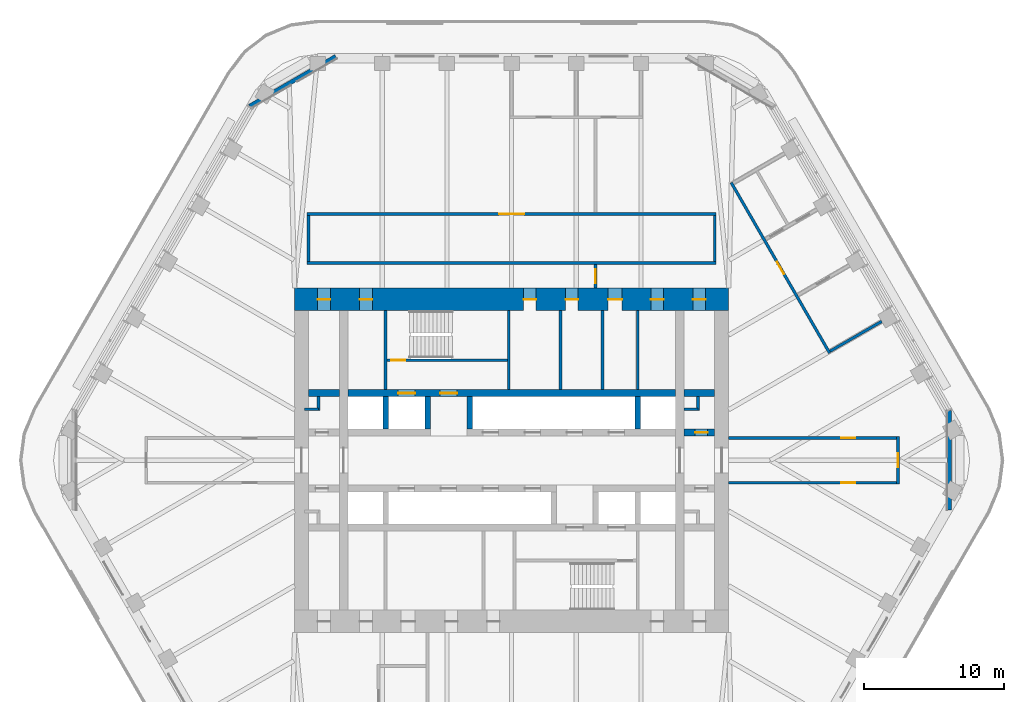
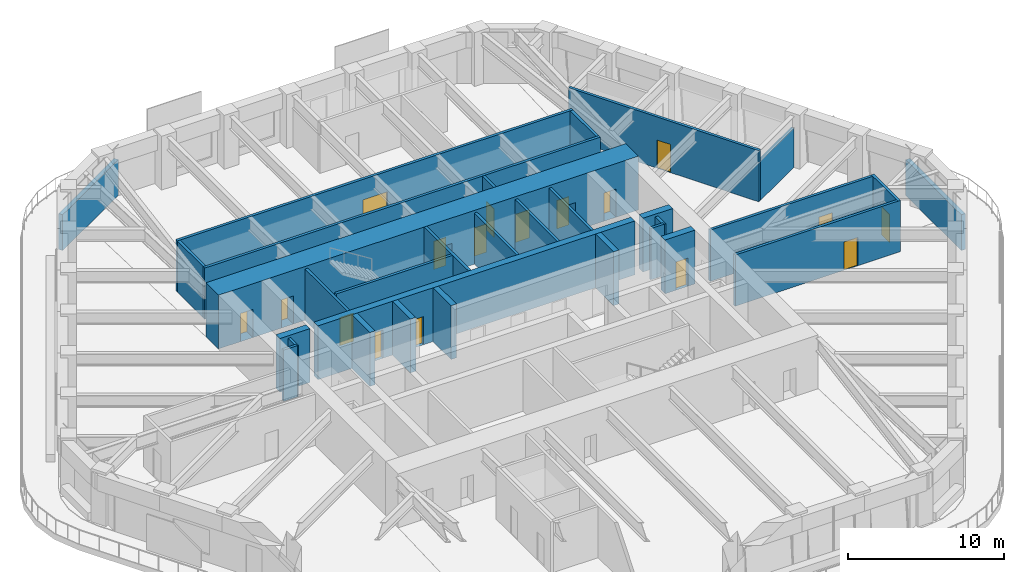
# One storey, part 16 of 20: 31 walls, 17 doors, 17 openings.
"""IFC4 building model written with IfcOpenShell, lengths in metres."""

from ifc_helpers import new_model, si_unit, direction, frame, frame_2d, origin, place, context, subcontext, project, spatial, rectangle, extrude, material, layer, layer_set, type_object, element, fill, save


model = new_model("IFC4")

# Units and contexts
model_context = context("Model", 3, precision=1e-05, world=origin(), true_north=direction((0.0, 1.0)))
body_context = subcontext(model_context, "Body", "Model", "MODEL_VIEW")
ifc_project = project(units=[si_unit("LENGTHUNIT", "METRE"), si_unit("AREAUNIT", "SQUARE_METRE"), si_unit("VOLUMEUNIT", "CUBIC_METRE"), si_unit("PLANEANGLEUNIT", "RADIAN"), si_unit("MASSUNIT", "GRAM", prefix="KILO")], contexts=[model_context])

# Site, building, storey
site_placement = place(None, origin())
site = spatial("IfcSite", under=ifc_project, at=site_placement, CompositionType="ELEMENT")
building_placement = place(site_placement, origin())
building = spatial("IfcBuilding", under=site, at=building_placement, Name="Tarfa Lantern Tower", CompositionType="ELEMENT")
storey_placement = place(building_placement, frame((0.0, 0.0, 291.10009765625)))
storey = spatial("IfcBuildingStorey", under=building, at=storey_placement, Name="L66", CompositionType="ELEMENT", Elevation=291.10009765625)

# Walls
ifc_material_1 = material(Name="Limestone cladding on blockwork", Category="masonry")
ifc_layer_1 = layer(ifc_material_1, 0.300048828125)
ifc_layer_set_1 = layer_set([ifc_layer_1], Name="EW1 STONE-CLAD WALL 300")
wall_type_1 = type_object("IfcWallType", Name="EW1 STONE-CLAD WALL 300", PredefinedType="SOLIDWALL", material=ifc_layer_set_1)
wall_1_placement = place(storey_placement, frame((-12.556396484375, 28.85009765625, 0.0), z_axis=(0.0, 0.0, 1.0), x_axis=(-0.866010973379, -0.500024993363, 0.0)))
element("IfcWall", 1, at=wall_1_placement, inside=storey, type_object=wall_type_1, Name="Garden wall N-NW", PredefinedType="SOLIDWALL", context=body_context, shape_type="SweptSolid", body=[
    extrude(rectangle(XDim=7.101806640625, YDim=0.300048828125, at=frame_2d((3.55078125, 0.0))), origin(), (0.0, 0.0, 1.0), 2.7998046875),
])
wall_2_placement = place(storey_placement, frame((31.262939453125, -3.55078125, 0.0), z_axis=(0.0, 0.0, 1.0), x_axis=(0.0, 1.0, 0.0)))
element("IfcWall", 2, at=wall_2_placement, inside=storey, type_object=wall_type_1, Name="Garden wall SE-NE", PredefinedType="SOLIDWALL", context=body_context, shape_type="SweptSolid", body=[
    extrude(rectangle(XDim=7.1015625, YDim=0.300048828125, at=frame_2d((3.55078125, 0.0))), origin(), (0.0, 0.0, 1.0), 2.7998046875),
])
ifc_material_2 = material(Name="Concrete blockwork", Category="masonry")
ifc_layer_2 = layer(ifc_material_2, 0.199951171875)
ifc_layer_set_2 = layer_set([ifc_layer_2], Name="IW1 BLOCKWORK PARTITION 200 EI 120")
wall_type_2 = type_object("IfcWallType", Name="IW1 BLOCKWORK PARTITION 200 EI 120", PredefinedType="PARTITIONING", material=ifc_layer_set_2)
for number, where, z_axis, x_axis, name in (
    (3, (-9.0, 5.050048828125, 0.0), (0.0, 0.0, 1.0), (0.0, 1.0, 0.0), "Core partition"),
    (4, (9.0, 5.050048828125, 0.0), (0.0, 0.0, 1.0), (0.0, 1.0, 0.0), "Core partition"),
    (5, (3.5, 5.050048828125, 0.0), (0.0, 0.0, 1.0), (0.0, 1.0, 0.0), "Core partition"),
    (6, (6.5, 5.050048828125, 0.0), (0.0, 0.0, 1.0), (0.0, 1.0, 0.0), "Core partition"),
):
    element("IfcWall", number, at=place(storey_placement, frame(where, z_axis=z_axis, x_axis=x_axis)), inside=storey, type_object=wall_type_2, Name=name, PredefinedType="PARTITIONING", context=body_context, shape_type="SweptSolid", body=[
        extrude(rectangle(XDim=5.64990234375, YDim=0.199951171875, at=frame_2d((2.824951171875, 0.0))), origin(), (0.0, 0.0, 1.0), 4.0),
    ])
for number, where, z_axis, x_axis, name in (
    (7, (-14.800048828125, 3.64990234375, 0.0), (0.0, 0.0, 1.0), (1.0, 0.0, 0.0), "Core partition"),
    (8, (-13.800048828125, 3.550048828125, 0.0), (0.0, 0.0, 1.0), (0.0, 1.0, 0.0), "Core partition"),
    (9, (12.300048828125, 3.64990234375, 0.0), (0.0, 0.0, 1.0), (1.0, 0.0, 0.0), "Core partition"),
    (10, (13.300048828125, 3.550048828125, 0.0), (0.0, 0.0, 1.0), (0.0, 1.0, 0.0), "Core partition"),
):
    element("IfcWall", number, at=place(storey_placement, frame(where, z_axis=z_axis, x_axis=x_axis)), inside=storey, type_object=wall_type_2, Name=name, PredefinedType="PARTITIONING", context=body_context, shape_type="SweptSolid", body=[
        extrude(rectangle(XDim=1.0, YDim=0.199951171875, at=frame_2d((0.5, 0.0))), origin(), (0.0, 0.0, 1.0), 4.0),
    ])
ifc_material_3 = material(Name="Gypsum board on steel studs", Category="steel")
ifc_layer_3 = layer(ifc_material_3, 0.2099609375)
ifc_layer_set_3 = layer_set([ifc_layer_3], Name="IW2 ACOUSTIC PARTITION 200")
wall_type_3 = type_object("IfcWallType", Name="IW2 ACOUSTIC PARTITION 200", PredefinedType="PARTITIONING", material=ifc_layer_set_3)
wall_3_placement = place(storey_placement, frame((-14.60009765625, 14.10009765625, 0.0), z_axis=(0.0, 0.0, 1.0), x_axis=(1.0, 0.0, 0.0)))
element("IfcWall", 11, at=wall_3_placement, inside=storey, type_object=wall_type_3, Name="Partition", PredefinedType="PARTITIONING", context=body_context, shape_type="SweptSolid", body=[
    extrude(rectangle(XDim=29.2001953125, YDim=0.199951171875, at=frame_2d((14.60009765625, 0.0))), origin(), (0.0, 0.0, 1.0), 4.0),
])

# Wall, opening, door
wall_4_placement = place(storey_placement, frame((-14.60009765625, 17.60009765625, 0.0), z_axis=(0.0, 0.0, 1.0), x_axis=(1.0, 0.0, 0.0)))
wall_4 = element("IfcWall", 12, at=wall_4_placement, inside=storey, type_object=wall_type_3, Name="Partition", PredefinedType="PARTITIONING", context=body_context, shape_type="SweptSolid", body=[
    extrude(rectangle(XDim=29.2001953125, YDim=0.199951171875, at=frame_2d((14.60009765625, 0.0))), origin(), (0.0, 0.0, 1.0), 4.0),
])
opening_1_placement = place(wall_4_placement, frame((13.699951171875, 0.0, 0.0)))
opening_1 = element("IfcOpeningElement", 13, at=opening_1_placement, cuts=wall_4, Name="Opening D33", PredefinedType="OPENING", context=body_context, shape_type="SweptSolid", body=[
    extrude(rectangle(XDim=1.800048828125, YDim=2.39990234375, at=frame_2d((0.89990234375, 1.199951171875))), frame((0.0, 0.10986328125, 0.0), z_axis=(0.0, -1.0, 0.0), x_axis=(1.0, 0.0, 0.0)), (0.0, 0.0, 1.0), 0.219970703125),
])
ifc_material_4 = material(Name="Timber door", Category="wood")
door_type_1 = type_object("IfcDoorType", Name="DR2 ROOM DOOR 1800x2400", OperationType="DOUBLE_DOOR_SINGLE_SWING", PredefinedType="DOOR", material=ifc_material_4)
door_1_placement = place(opening_1_placement, frame((1.800048828125, 0.0, 0.0), z_axis=(0.0, 0.0, 1.0), x_axis=(-1.0, 0.0, 0.0)))
door_1 = element("IfcDoor", 14, at=door_1_placement, inside=storey, type_object=door_type_1, Name="Scenario room door", OperationType="DOUBLE_DOOR_SINGLE_SWING", OverallHeight=2.39990234375, OverallWidth=1.800048828125, PredefinedType="DOOR", context=body_context, shape_type="SweptSolid", body=[
    extrude(rectangle(XDim=1.800048828125, YDim=2.39990234375, at=frame_2d((0.89990234375, 1.199951171875))), frame((0.0, 0.02490234375, 0.0), z_axis=(0.0, -1.0, 0.0), x_axis=(1.0, 0.0, 0.0)), (0.0, 0.0, 1.0), 0.050048828125),
])
fill(opening_1, door_1)

# Walls
for number, where, z_axis, x_axis, name in (
    (15, (-14.5, 14.199951171875, 0.0), (0.0, 0.0, 1.0), (0.0, 1.0, 0.0), "Partition"),
    (16, (14.5, 14.199951171875, 0.0), (0.0, 0.0, 1.0), (0.0, 1.0, 0.0), "Partition"),
):
    element("IfcWall", number, at=place(storey_placement, frame(where, z_axis=z_axis, x_axis=x_axis)), inside=storey, type_object=wall_type_3, Name=name, PredefinedType="PARTITIONING", context=body_context, shape_type="SweptSolid", body=[
        extrude(rectangle(XDim=3.300048828125, YDim=0.199951171875, at=frame_2d((1.64990234375, 0.0))), origin(), (0.0, 0.0, 1.0), 4.0),
    ])

# Wall, opening, door
wall_5_placement = place(storey_placement, frame((22.7109375, 7.663330078125, 0.0), z_axis=(0.0, 0.0, 1.0), x_axis=(-0.499989069193, 0.866031714597, 0.0)))
wall_5 = element("IfcWall", 17, at=wall_5_placement, inside=storey, type_object=wall_type_3, Name="Partition", PredefinedType="PARTITIONING", context=body_context, shape_type="SweptSolid", body=[
    extrude(rectangle(XDim=14.056396484375, YDim=0.199951171875, at=frame_2d((7.0283203125, 0.0))), origin(), (0.0, 0.0, 1.0), 4.0),
])
opening_2_placement = place(wall_5_placement, frame((6.5283203125, 0.0, 0.0)))
opening_2 = element("IfcOpeningElement", 18, at=opening_2_placement, cuts=wall_5, Name="Opening D30", PredefinedType="OPENING", context=body_context, shape_type="SweptSolid", body=[
    extrude(rectangle(XDim=1.0, YDim=2.199951171875, at=frame_2d((0.5, 1.10009765625))), frame((0.0, 0.10986328125, 0.0), z_axis=(0.0, -1.0, 0.0), x_axis=(1.0, 0.0, 0.0)), (0.0, 0.0, 1.0), 0.219970703125),
])
door_type_2 = type_object("IfcDoorType", Name="DR1 ROOM DOOR 1000x2200", OperationType="SINGLE_SWING_LEFT", PredefinedType="DOOR", material=ifc_material_4)
door_2_placement = place(opening_2_placement, frame((1.0, 0.0, 0.0), z_axis=(0.0, 0.0, 1.0), x_axis=(-1.0, 0.0, 0.0)))
door_2 = element("IfcDoor", 19, at=door_2_placement, inside=storey, type_object=door_type_2, Name="Strategy reception door", OperationType="SINGLE_SWING_RIGHT", OverallHeight=2.199951171875, OverallWidth=1.0, PredefinedType="DOOR", context=body_context, shape_type="SweptSolid", body=[
    extrude(rectangle(XDim=1.0, YDim=2.199951171875, at=frame_2d((0.5, 1.10009765625))), frame((0.0, 0.02490234375, 0.0), z_axis=(0.0, -1.0, 0.0), x_axis=(1.0, 0.0, 0.0)), (0.0, 0.0, 1.0), 0.050048828125),
])
fill(opening_2, door_2)

# Wall
wall_6_placement = place(storey_placement, frame((22.74755859375, 7.800048828125, 0.0), z_axis=(0.0, 0.0, 1.0), x_axis=(0.866028703517, 0.499994284652, 0.0)))
element("IfcWall", 20, at=wall_6_placement, inside=storey, type_object=wall_type_3, Name="Partition", PredefinedType="PARTITIONING", context=body_context, shape_type="SweptSolid", body=[
    extrude(rectangle(XDim=4.25, YDim=0.199951171875, at=frame_2d((2.125, 0.0))), origin(), (0.0, 0.0, 1.0), 3.08154296875),
])

# Wall, opening, door
wall_7_placement = place(storey_placement, frame((15.5, 1.60009765625, 0.0), z_axis=(0.0, 0.0, 1.0), x_axis=(1.0, 0.0, 0.0)))
wall_7 = element("IfcWall", 21, at=wall_7_placement, inside=storey, type_object=wall_type_3, Name="Partition", PredefinedType="PARTITIONING", context=body_context, shape_type="SweptSolid", body=[
    extrude(rectangle(XDim=12.199951171875, YDim=0.199951171875, at=frame_2d((6.10009765625, 0.0))), origin(), (0.0, 0.0, 1.0), 4.0),
])
opening_3_placement = place(wall_7_placement, frame((8.0400390625, 0.0, 0.0)))
opening_3 = element("IfcOpeningElement", 22, at=opening_3_placement, cuts=wall_7, Name="Opening D37", PredefinedType="OPENING", context=body_context, shape_type="SweptSolid", body=[
    extrude(rectangle(XDim=1.0, YDim=2.199951171875, at=frame_2d((0.5, 1.10009765625))), frame((0.0, 0.10986328125, 0.0), z_axis=(0.0, -1.0, 0.0), x_axis=(1.0, 0.0, 0.0)), (0.0, 0.0, 1.0), 0.219970703125),
])
door_3_placement = place(opening_3_placement, origin())
door_3 = element("IfcDoor", 23, at=door_3_placement, inside=storey, type_object=door_type_2, Name="Corridor door", OperationType="SINGLE_SWING_LEFT", OverallHeight=2.199951171875, OverallWidth=1.0, PredefinedType="DOOR", context=body_context, shape_type="SweptSolid", body=[
    extrude(rectangle(XDim=1.0, YDim=2.199951171875, at=frame_2d((0.5, 1.10009765625))), frame((0.0, 0.02490234375, 0.0), z_axis=(0.0, -1.0, 0.0), x_axis=(1.0, 0.0, 0.0)), (0.0, 0.0, 1.0), 0.050048828125),
])
fill(opening_3, door_3)

wall_8_placement = place(storey_placement, frame((15.5, -1.60009765625, 0.0), z_axis=(0.0, 0.0, 1.0), x_axis=(1.0, 0.0, 0.0)))
wall_8 = element("IfcWall", 24, at=wall_8_placement, inside=storey, type_object=wall_type_3, Name="Partition", PredefinedType="PARTITIONING", context=body_context, shape_type="SweptSolid", body=[
    extrude(rectangle(XDim=12.199951171875, YDim=0.199951171875, at=frame_2d((6.10009765625, 0.0))), origin(), (0.0, 0.0, 1.0), 4.0),
])
opening_4_placement = place(wall_8_placement, frame((8.0400390625, 0.0, 0.0)))
opening_4 = element("IfcOpeningElement", 25, at=opening_4_placement, cuts=wall_8, Name="Opening D38", PredefinedType="OPENING", context=body_context, shape_type="SweptSolid", body=[
    extrude(rectangle(XDim=1.0, YDim=2.199951171875, at=frame_2d((0.5, 1.10009765625))), frame((0.0, 0.10986328125, 0.0), z_axis=(0.0, -1.0, 0.0), x_axis=(1.0, 0.0, 0.0)), (0.0, 0.0, 1.0), 0.219970703125),
])
door_4_placement = place(opening_4_placement, frame((1.0, 0.0, 0.0), z_axis=(0.0, 0.0, 1.0), x_axis=(-1.0, 0.0, 0.0)))
door_4 = element("IfcDoor", 26, at=door_4_placement, inside=storey, type_object=door_type_2, Name="Corridor door", OperationType="SINGLE_SWING_RIGHT", OverallHeight=2.199951171875, OverallWidth=1.0, PredefinedType="DOOR", context=body_context, shape_type="SweptSolid", body=[
    extrude(rectangle(XDim=1.0, YDim=2.199951171875, at=frame_2d((0.5, 1.10009765625))), frame((0.0, 0.02490234375, 0.0), z_axis=(0.0, -1.0, 0.0), x_axis=(1.0, 0.0, 0.0)), (0.0, 0.0, 1.0), 0.050048828125),
])
fill(opening_4, door_4)

wall_9_placement = place(storey_placement, frame((27.60009765625, -1.699951171875, 0.0), z_axis=(0.0, 0.0, 1.0), x_axis=(0.0, 1.0, 0.0)))
wall_9 = element("IfcWall", 27, at=wall_9_placement, inside=storey, type_object=wall_type_3, Name="Partition", PredefinedType="PARTITIONING", context=body_context, shape_type="SweptSolid", body=[
    extrude(rectangle(XDim=3.39990234375, YDim=0.199951171875, at=frame_2d((1.699951171875, 0.0))), origin(), (0.0, 0.0, 1.0), 4.0),
])
opening_5_placement = place(wall_9_placement, frame((1.199951171875, 0.0, 0.0)))
opening_5 = element("IfcOpeningElement", 28, at=opening_5_placement, cuts=wall_9, Name="Opening D36", PredefinedType="OPENING", context=body_context, shape_type="SweptSolid", body=[
    extrude(rectangle(XDim=1.0, YDim=2.199951171875, at=frame_2d((0.5, 1.10009765625))), frame((0.0, 0.10986328125, 0.0), z_axis=(0.0, -1.0, 0.0), x_axis=(1.0, 0.0, 0.0)), (0.0, 0.0, 1.0), 0.219970703125),
])
door_5_placement = place(opening_5_placement, frame((1.0, 0.0, 0.0), z_axis=(0.0, 0.0, 1.0), x_axis=(-1.0, 0.0, 0.0)))
door_5 = element("IfcDoor", 29, at=door_5_placement, inside=storey, type_object=door_type_2, Name="Corridor door", OperationType="SINGLE_SWING_LEFT", OverallHeight=2.199951171875, OverallWidth=1.0, PredefinedType="DOOR", context=body_context, shape_type="SweptSolid", body=[
    extrude(rectangle(XDim=1.0, YDim=2.199951171875, at=frame_2d((0.5, 1.10009765625))), frame((0.0, 0.02490234375, 0.0), z_axis=(0.0, -1.0, 0.0), x_axis=(1.0, 0.0, 0.0)), (0.0, 0.0, 1.0), 0.050048828125),
])
fill(opening_5, door_5)

wall_10_placement = place(storey_placement, frame((6.0, 12.300048828125, 0.0), z_axis=(0.0, 0.0, 1.0), x_axis=(0.0, 1.0, 0.0)))
wall_10 = element("IfcWall", 30, at=wall_10_placement, inside=storey, type_object=wall_type_3, Name="Partition", PredefinedType="PARTITIONING", context=body_context, shape_type="SweptSolid", body=[
    extrude(rectangle(XDim=1.699951171875, YDim=0.199951171875, at=frame_2d((0.85009765625, 0.0))), origin(), (0.0, 0.0, 1.0), 4.0),
])
opening_6_placement = place(wall_10_placement, frame((0.35009765625, 0.0, 0.0)))
opening_6 = element("IfcOpeningElement", 31, at=opening_6_placement, cuts=wall_10, Name="Opening D42", PredefinedType="OPENING", context=body_context, shape_type="SweptSolid", body=[
    extrude(rectangle(XDim=1.0, YDim=2.199951171875, at=frame_2d((0.5, 1.10009765625))), frame((0.0, 0.10986328125, 0.0), z_axis=(0.0, -1.0, 0.0), x_axis=(1.0, 0.0, 0.0)), (0.0, 0.0, 1.0), 0.219970703125),
])
door_6_placement = place(opening_6_placement, origin())
door_6 = element("IfcDoor", 32, at=door_6_placement, inside=storey, type_object=door_type_2, Name="Zone door", OperationType="SINGLE_SWING_LEFT", OverallHeight=2.199951171875, OverallWidth=1.0, PredefinedType="DOOR", context=body_context, shape_type="SweptSolid", body=[
    extrude(rectangle(XDim=1.0, YDim=2.199951171875, at=frame_2d((0.5, 1.10009765625))), frame((0.0, 0.02490234375, 0.0), z_axis=(0.0, -1.0, 0.0), x_axis=(1.0, 0.0, 0.0)), (0.0, 0.0, 1.0), 0.050048828125),
])
fill(opening_6, door_6)

# Wall
ifc_material_5 = material(Name="Concrete C80/95", Category="concrete")
ifc_layer_4 = layer(ifc_material_5, 0.199951171875)
ifc_layer_set_4 = layer_set([ifc_layer_4], Name="SW12 CORE WALL 200")
wall_type_4 = type_object("IfcWallType", Name="SW12 CORE WALL 200", PredefinedType="SHEAR", material=ifc_layer_set_4)
wall_11_placement = place(storey_placement, frame((-0.199951171875, 5.050048828125, 0.0), z_axis=(0.0, 0.0, 1.0), x_axis=(0.0, 1.0, 0.0)))
element("IfcWall", 33, at=wall_11_placement, inside=storey, type_object=wall_type_4, Name="Core wall stair shaft N", PredefinedType="SHEAR", context=body_context, shape_type="SweptSolid", body=[
    extrude(rectangle(XDim=5.64990234375, YDim=0.199951171875, at=frame_2d((2.824951171875, 0.0))), origin(), (0.0, 0.0, 1.0), 4.199951171875),
])

# Wall, opening, door
wall_12_placement = place(storey_placement, frame((-8.89990234375, 7.14990234375, 0.0), z_axis=(0.0, 0.0, 1.0), x_axis=(1.0, 0.0, 0.0)))
wall_12 = element("IfcWall", 34, at=wall_12_placement, inside=storey, type_object=wall_type_4, Name="Core wall stair partition N", PredefinedType="SHEAR", context=body_context, shape_type="SweptSolid", body=[
    extrude(rectangle(XDim=8.599853515625, YDim=0.199951171875, at=frame_2d((4.2998046875, 0.0))), origin(), (0.0, 0.0, 1.0), 4.199951171875),
])
opening_7_placement = place(wall_12_placement, frame((0.300048828125, 0.0, 0.0)))
opening_7 = element("IfcOpeningElement", 35, at=opening_7_placement, cuts=wall_12, Name="Opening D23", PredefinedType="OPENING", context=body_context, shape_type="SweptSolid", body=[
    extrude(rectangle(XDim=1.0, YDim=2.199951171875, at=frame_2d((0.5, 1.10009765625))), frame((0.0, 0.10986328125, 0.0), z_axis=(0.0, -1.0, 0.0), x_axis=(1.0, 0.0, 0.0)), (0.0, 0.0, 1.0), 0.219970703125),
])
ifc_material_6 = material(Name="Steel fire door", Category="steel")
door_type_3 = type_object("IfcDoorType", Name="DF2 STAIR DOOR 1000x2200", OperationType="SINGLE_SWING_LEFT", PredefinedType="DOOR", material=ifc_material_6)
door_7_placement = place(opening_7_placement, origin())
door_7 = element("IfcDoor", 36, at=door_7_placement, inside=storey, type_object=door_type_3, Name="Stair door", OperationType="SINGLE_SWING_RIGHT", OverallHeight=2.199951171875, OverallWidth=1.0, PredefinedType="DOOR", context=body_context, shape_type="SweptSolid", body=[
    extrude(rectangle(XDim=1.0, YDim=2.199951171875, at=frame_2d((0.5, 1.10009765625))), frame((0.0, 0.02490234375, 0.0), z_axis=(0.0, -1.0, 0.0), x_axis=(1.0, 0.0, 0.0)), (0.0, 0.0, 1.0), 0.050048828125),
])
fill(opening_7, door_7)

ifc_layer_5 = layer(ifc_material_5, 0.5)
ifc_layer_set_5 = layer_set([ifc_layer_5], Name="SW5 CORE WALL 500")
wall_type_5 = type_object("IfcWallType", Name="SW5 CORE WALL 500", PredefinedType="SHEAR", material=ifc_layer_set_5)
wall_13_placement = place(storey_placement, frame((12.300048828125, 2.0, 0.0), z_axis=(0.0, 0.0, 1.0), x_axis=(1.0, 0.0, 0.0)))
wall_13 = element("IfcWall", 37, at=wall_13_placement, inside=storey, type_object=wall_type_5, Name="Core wall lobby east N", PredefinedType="SHEAR", context=body_context, shape_type="SweptSolid", body=[
    extrude(rectangle(XDim=2.199951171875, YDim=0.5, at=frame_2d((1.10009765625, 0.0))), origin(), (0.0, 0.0, 1.0), 4.199951171875),
])
opening_8_placement = place(wall_13_placement, frame((0.800048828125, 0.0, 0.0)))
opening_8 = element("IfcOpeningElement", 38, at=opening_8_placement, cuts=wall_13, Name="Opening D13", PredefinedType="OPENING", context=body_context, shape_type="SweptSolid", body=[
    extrude(rectangle(XDim=0.89990234375, YDim=2.199951171875, at=frame_2d((0.449951171875, 1.10009765625))), frame((0.0, 0.260009765625, 0.0), z_axis=(0.0, -1.0, 0.0), x_axis=(1.0, 0.0, 0.0)), (0.0, 0.0, 1.0), 0.52001953125),
])
door_type_4 = type_object("IfcDoorType", Name="DF6 SERVICE ROOM DOOR 900x2200", OperationType="SINGLE_SWING_LEFT", PredefinedType="DOOR", material=ifc_material_6)
door_8_placement = place(opening_8_placement, origin())
door_8 = element("IfcDoor", 39, at=door_8_placement, inside=storey, type_object=door_type_4, Name="Service room door", OperationType="SINGLE_SWING_LEFT", OverallHeight=2.199951171875, OverallWidth=0.89990234375, PredefinedType="DOOR", context=body_context, shape_type="SweptSolid", body=[
    extrude(rectangle(XDim=0.89990234375, YDim=2.199951171875, at=frame_2d((0.449951171875, 1.10009765625))), frame((0.0, 0.02490234375, 0.0), z_axis=(0.0, -1.0, 0.0), x_axis=(1.0, 0.0, 0.0)), (0.0, 0.0, 1.0), 0.050048828125),
])
fill(opening_8, door_8)

# Wall
wall_14_placement = place(storey_placement, frame((-14.5, 4.800048828125, 0.0), z_axis=(0.0, 0.0, 1.0), x_axis=(1.0, 0.0, 0.0)))
element("IfcWall", 40, at=wall_14_placement, inside=storey, type_object=wall_type_5, Name="Core wall rear N", PredefinedType="SHEAR", context=body_context, shape_type="SweptSolid", body=[
    extrude(rectangle(XDim=2.199951171875, YDim=0.5, at=frame_2d((1.10009765625, 0.0))), origin(), (0.0, 0.0, 1.0), 4.199951171875),
])

# Wall, openings, doors
wall_15_placement = place(storey_placement, frame((-11.699951171875, 4.800048828125, 0.0), z_axis=(0.0, 0.0, 1.0), x_axis=(1.0, 0.0, 0.0)))
wall_15 = element("IfcWall", 41, at=wall_15_placement, inside=storey, type_object=wall_type_5, Name="Core wall rear N", PredefinedType="SHEAR", context=body_context, shape_type="SweptSolid", body=[
    extrude(rectangle(XDim=23.39990234375, YDim=0.5, at=frame_2d((11.699951171875, 0.0))), origin(), (0.0, 0.0, 1.0), 4.199951171875),
])
opening_9_placement = place(wall_15_placement, frame((6.60009765625, 0.0, 0.0)))
opening_9 = element("IfcOpeningElement", 42, at=opening_9_placement, cuts=wall_15, Name="Opening D09", PredefinedType="OPENING", context=body_context, shape_type="SweptSolid", body=[
    extrude(rectangle(XDim=1.199951171875, YDim=2.199951171875, at=frame_2d((0.60009765625, 1.10009765625))), frame((0.0, 0.260009765625, 0.0), z_axis=(0.0, -1.0, 0.0), x_axis=(1.0, 0.0, 0.0)), (0.0, 0.0, 1.0), 0.52001953125),
])
opening_10_placement = place(wall_15_placement, frame((3.60009765625, 0.0, 0.0)))
opening_10 = element("IfcOpeningElement", 43, at=opening_10_placement, cuts=wall_15, Name="Opening LD01", PredefinedType="OPENING", context=body_context, shape_type="SweptSolid", body=[
    extrude(rectangle(XDim=1.199951171875, YDim=2.199951171875, at=frame_2d((0.60009765625, 1.10009765625))), frame((0.0, 0.260009765625, 0.0), z_axis=(0.0, -1.0, 0.0), x_axis=(1.0, 0.0, 0.0)), (0.0, 0.0, 1.0), 0.52001953125),
])
door_type_5 = type_object("IfcDoorType", Name="DF1 FIREFIGHTING LOBBY DOOR 1200x2200", OperationType="SINGLE_SWING_LEFT", PredefinedType="DOOR", material=ifc_material_6)
door_9_placement = place(opening_9_placement, origin())
door_9 = element("IfcDoor", 44, at=door_9_placement, inside=storey, type_object=door_type_5, Name="Firefighting lobby door", OperationType="SINGLE_SWING_LEFT", OverallHeight=2.199951171875, OverallWidth=1.199951171875, PredefinedType="DOOR", context=body_context, shape_type="SweptSolid", body=[
    extrude(rectangle(XDim=1.199951171875, YDim=2.199951171875, at=frame_2d((0.60009765625, 1.10009765625))), frame((0.0, 0.02490234375, 0.0), z_axis=(0.0, -1.0, 0.0), x_axis=(1.0, 0.0, 0.0)), (0.0, 0.0, 1.0), 0.050048828125),
])
fill(opening_9, door_9)
ifc_material_7 = material(Name="Stainless steel lift door", Category="steel")
door_type_6 = type_object("IfcDoorType", Name="LD1 LIFT LANDING DOOR 1200x2200", OperationType="SLIDING_TO_LEFT", PredefinedType="DOOR", material=ifc_material_7)
door_10_placement = place(opening_10_placement, origin())
door_10 = element("IfcDoor", 45, at=door_10_placement, inside=storey, type_object=door_type_6, Name="Landing door FL1", OperationType="SLIDING_TO_LEFT", OverallHeight=2.199951171875, OverallWidth=1.199951171875, PredefinedType="DOOR", context=body_context, shape_type="SweptSolid", body=[
    extrude(rectangle(XDim=1.199951171875, YDim=2.199951171875, at=frame_2d((0.60009765625, 1.10009765625))), frame((0.0, 0.02490234375, 0.0), z_axis=(0.0, -1.0, 0.0), x_axis=(1.0, 0.0, 0.0)), (0.0, 0.0, 1.0), 0.050048828125),
])
fill(opening_10, door_10)

# Walls
wall_16_placement = place(storey_placement, frame((12.300048828125, 4.800048828125, 0.0), z_axis=(0.0, 0.0, 1.0), x_axis=(1.0, 0.0, 0.0)))
element("IfcWall", 46, at=wall_16_placement, inside=storey, type_object=wall_type_5, Name="Core wall rear N", PredefinedType="SHEAR", context=body_context, shape_type="SweptSolid", body=[
    extrude(rectangle(XDim=2.199951171875, YDim=0.5, at=frame_2d((1.10009765625, 0.0))), origin(), (0.0, 0.0, 1.0), 4.199951171875),
])
ifc_layer_6 = layer(ifc_material_5, 0.39990234375)
ifc_layer_set_6 = layer_set([ifc_layer_6], Name="SW6 CORE WALL 400")
wall_type_6 = type_object("IfcWallType", Name="SW6 CORE WALL 400", PredefinedType="SHEAR", material=ifc_layer_set_6)
for number, where, z_axis, x_axis, name in (
    (47, (-9.0, 2.25, 0.0), (0.0, 0.0, 1.0), (0.0, 1.0, 0.0), "Core wall divider N"),
    (48, (-6.0, 2.25, 0.0), (0.0, 0.0, 1.0), (0.0, 1.0, 0.0), "Core wall divider N"),
    (49, (-3.0, 2.25, 0.0), (0.0, 0.0, 1.0), (0.0, 1.0, 0.0), "Core wall divider N"),
    (50, (9.0, 2.25, 0.0), (0.0, 0.0, 1.0), (0.0, 1.0, 0.0), "Core wall divider N"),
):
    element("IfcWall", number, at=place(storey_placement, frame(where, z_axis=z_axis, x_axis=x_axis)), inside=storey, type_object=wall_type_6, Name=name, PredefinedType="SHEAR", context=body_context, shape_type="SweptSolid", body=[
        extrude(rectangle(XDim=2.300048828125, YDim=0.39990234375, at=frame_2d((1.14990234375, 0.0))), origin(), (0.0, 0.0, 1.0), 4.199951171875),
    ])

# Wall, openings, doors
ifc_layer_7 = layer(ifc_material_5, 1.60009765625)
ifc_layer_set_7 = layer_set([ifc_layer_7], Name="SW7 CORE WALL 1600")
wall_type_7 = type_object("IfcWallType", Name="SW7 CORE WALL 1600", PredefinedType="SHEAR", material=ifc_layer_set_7)
wall_17_placement = place(storey_placement, frame((-15.5, 11.5, 0.0), z_axis=(0.0, 0.0, 1.0), x_axis=(1.0, 0.0, 0.0)))
wall_17 = element("IfcWall", 51, at=wall_17_placement, inside=storey, type_object=wall_type_7, Name="Core wall N", PredefinedType="SHEAR", context=body_context, shape_type="SweptSolid", body=[
    extrude(rectangle(XDim=31.0, YDim=1.60009765625, at=frame_2d((15.5, 0.0))), origin(), (0.0, 0.0, 1.0), 4.199951171875),
])
opening_11_placement = place(wall_17_placement, frame((16.35009765625, 0.0, 0.0)))
opening_11 = element("IfcOpeningElement", 52, at=opening_11_placement, cuts=wall_17, Name="Opening D17", PredefinedType="OPENING", context=body_context, shape_type="SweptSolid", body=[
    extrude(rectangle(XDim=0.89990234375, YDim=2.199951171875, at=frame_2d((0.449951171875, 1.10009765625))), frame((0.0, 0.81005859375, 0.0), z_axis=(0.0, -1.0, 0.0), x_axis=(1.0, 0.0, 0.0)), (0.0, 0.0, 1.0), 1.6201171875),
])
opening_12_placement = place(wall_17_placement, frame((19.35009765625, 0.0, 0.0)))
opening_12 = element("IfcOpeningElement", 53, at=opening_12_placement, cuts=wall_17, Name="Opening D19", PredefinedType="OPENING", context=body_context, shape_type="SweptSolid", body=[
    extrude(rectangle(XDim=0.89990234375, YDim=2.199951171875, at=frame_2d((0.449951171875, 1.10009765625))), frame((0.0, 0.81005859375, 0.0), z_axis=(0.0, -1.0, 0.0), x_axis=(1.0, 0.0, 0.0)), (0.0, 0.0, 1.0), 1.6201171875),
])
opening_13_placement = place(wall_17_placement, frame((22.39990234375, 0.0, 0.0)))
opening_13 = element("IfcOpeningElement", 54, at=opening_13_placement, cuts=wall_17, Name="Opening D21", PredefinedType="OPENING", context=body_context, shape_type="SweptSolid", body=[
    extrude(rectangle(XDim=1.0, YDim=2.199951171875, at=frame_2d((0.5, 1.10009765625))), frame((0.0, 0.81005859375, 0.0), z_axis=(0.0, -1.0, 0.0), x_axis=(1.0, 0.0, 0.0)), (0.0, 0.0, 1.0), 1.6201171875),
])
opening_14_placement = place(wall_17_placement, frame((1.64990234375, 0.0, 0.0)))
opening_14 = element("IfcOpeningElement", 55, at=opening_14_placement, cuts=wall_17, Name="Opening D07", PredefinedType="OPENING", context=body_context, shape_type="SweptSolid", body=[
    extrude(rectangle(XDim=0.89990234375, YDim=2.199951171875, at=frame_2d((0.449951171875, 1.10009765625))), frame((0.0, 0.81005859375, 0.0), z_axis=(0.0, -1.0, 0.0), x_axis=(1.0, 0.0, 0.0)), (0.0, 0.0, 1.0), 1.6201171875),
])
opening_15_placement = place(wall_17_placement, frame((4.64990234375, 0.0, 0.0)))
opening_15 = element("IfcOpeningElement", 56, at=opening_15_placement, cuts=wall_17, Name="Opening D05", PredefinedType="OPENING", context=body_context, shape_type="SweptSolid", body=[
    extrude(rectangle(XDim=0.89990234375, YDim=2.199951171875, at=frame_2d((0.449951171875, 1.10009765625))), frame((0.0, 0.81005859375, 0.0), z_axis=(0.0, -1.0, 0.0), x_axis=(1.0, 0.0, 0.0)), (0.0, 0.0, 1.0), 1.6201171875),
])
opening_16_placement = place(wall_17_placement, frame((25.449951171875, 0.0, 0.0)))
opening_16 = element("IfcOpeningElement", 57, at=opening_16_placement, cuts=wall_17, Name="Opening D03", PredefinedType="OPENING", context=body_context, shape_type="SweptSolid", body=[
    extrude(rectangle(XDim=0.89990234375, YDim=2.199951171875, at=frame_2d((0.449951171875, 1.10009765625))), frame((0.0, 0.81005859375, 0.0), z_axis=(0.0, -1.0, 0.0), x_axis=(1.0, 0.0, 0.0)), (0.0, 0.0, 1.0), 1.6201171875),
])
opening_17_placement = place(wall_17_placement, frame((28.449951171875, 0.0, 0.0)))
opening_17 = element("IfcOpeningElement", 58, at=opening_17_placement, cuts=wall_17, Name="Opening D01", PredefinedType="OPENING", context=body_context, shape_type="SweptSolid", body=[
    extrude(rectangle(XDim=0.89990234375, YDim=2.199951171875, at=frame_2d((0.449951171875, 1.10009765625))), frame((0.0, 0.81005859375, 0.0), z_axis=(0.0, -1.0, 0.0), x_axis=(1.0, 0.0, 0.0)), (0.0, 0.0, 1.0), 1.6201171875),
])
door_type_7 = type_object("IfcDoorType", Name="DF3 CORE ROOM DOOR 900x2200", OperationType="SINGLE_SWING_LEFT", PredefinedType="DOOR", material=ifc_material_6)
door_11_placement = place(opening_11_placement, frame((0.89990234375, 0.0, 0.0), z_axis=(0.0, 0.0, 1.0), x_axis=(-1.0, 0.0, 0.0)))
door_11 = element("IfcDoor", 59, at=door_11_placement, inside=storey, type_object=door_type_7, Name="Core door", OperationType="SINGLE_SWING_LEFT", OverallHeight=2.199951171875, OverallWidth=0.89990234375, PredefinedType="DOOR", context=body_context, shape_type="SweptSolid", body=[
    extrude(rectangle(XDim=0.89990234375, YDim=2.199951171875, at=frame_2d((0.449951171875, 1.10009765625))), frame((0.0, 0.02490234375, 0.0), z_axis=(0.0, -1.0, 0.0), x_axis=(1.0, 0.0, 0.0)), (0.0, 0.0, 1.0), 0.050048828125),
])
fill(opening_11, door_11)
door_12_placement = place(opening_12_placement, frame((0.89990234375, 0.0, 0.0), z_axis=(0.0, 0.0, 1.0), x_axis=(-1.0, 0.0, 0.0)))
door_12 = element("IfcDoor", 60, at=door_12_placement, inside=storey, type_object=door_type_7, Name="Core door", OperationType="SINGLE_SWING_LEFT", OverallHeight=2.199951171875, OverallWidth=0.89990234375, PredefinedType="DOOR", context=body_context, shape_type="SweptSolid", body=[
    extrude(rectangle(XDim=0.89990234375, YDim=2.199951171875, at=frame_2d((0.449951171875, 1.10009765625))), frame((0.0, 0.02490234375, 0.0), z_axis=(0.0, -1.0, 0.0), x_axis=(1.0, 0.0, 0.0)), (0.0, 0.0, 1.0), 0.050048828125),
])
fill(opening_12, door_12)
door_type_8 = type_object("IfcDoorType", Name="DF4 CORE ROOM DOOR 1000x2200", OperationType="SINGLE_SWING_LEFT", PredefinedType="DOOR", material=ifc_material_6)
door_13_placement = place(opening_13_placement, frame((1.0, 0.0, 0.0), z_axis=(0.0, 0.0, 1.0), x_axis=(-1.0, 0.0, 0.0)))
door_13 = element("IfcDoor", 61, at=door_13_placement, inside=storey, type_object=door_type_8, Name="Core door", OperationType="SINGLE_SWING_LEFT", OverallHeight=2.199951171875, OverallWidth=1.0, PredefinedType="DOOR", context=body_context, shape_type="SweptSolid", body=[
    extrude(rectangle(XDim=1.0, YDim=2.199951171875, at=frame_2d((0.5, 1.10009765625))), frame((0.0, 0.02490234375, 0.0), z_axis=(0.0, -1.0, 0.0), x_axis=(1.0, 0.0, 0.0)), (0.0, 0.0, 1.0), 0.050048828125),
])
fill(opening_13, door_13)
door_type_9 = type_object("IfcDoorType", Name="DF5 RISER DOOR 900x2200", OperationType="SINGLE_SWING_LEFT", PredefinedType="DOOR", material=ifc_material_6)
door_14_placement = place(opening_14_placement, frame((0.89990234375, 0.0, 0.0), z_axis=(0.0, 0.0, 1.0), x_axis=(-1.0, 0.0, 0.0)))
door_14 = element("IfcDoor", 62, at=door_14_placement, inside=storey, type_object=door_type_9, Name="Riser door", OperationType="SINGLE_SWING_LEFT", OverallHeight=2.199951171875, OverallWidth=0.89990234375, PredefinedType="DOOR", context=body_context, shape_type="SweptSolid", body=[
    extrude(rectangle(XDim=0.89990234375, YDim=2.199951171875, at=frame_2d((0.449951171875, 1.10009765625))), frame((0.0, 0.02490234375, 0.0), z_axis=(0.0, -1.0, 0.0), x_axis=(1.0, 0.0, 0.0)), (0.0, 0.0, 1.0), 0.050048828125),
])
fill(opening_14, door_14)
door_15_placement = place(opening_15_placement, frame((0.89990234375, 0.0, 0.0), z_axis=(0.0, 0.0, 1.0), x_axis=(-1.0, 0.0, 0.0)))
door_15 = element("IfcDoor", 63, at=door_15_placement, inside=storey, type_object=door_type_9, Name="Riser door", OperationType="SINGLE_SWING_LEFT", OverallHeight=2.199951171875, OverallWidth=0.89990234375, PredefinedType="DOOR", context=body_context, shape_type="SweptSolid", body=[
    extrude(rectangle(XDim=0.89990234375, YDim=2.199951171875, at=frame_2d((0.449951171875, 1.10009765625))), frame((0.0, 0.02490234375, 0.0), z_axis=(0.0, -1.0, 0.0), x_axis=(1.0, 0.0, 0.0)), (0.0, 0.0, 1.0), 0.050048828125),
])
fill(opening_15, door_15)
door_16_placement = place(opening_16_placement, frame((0.89990234375, 0.0, 0.0), z_axis=(0.0, 0.0, 1.0), x_axis=(-1.0, 0.0, 0.0)))
door_16 = element("IfcDoor", 64, at=door_16_placement, inside=storey, type_object=door_type_9, Name="Riser door", OperationType="SINGLE_SWING_RIGHT", OverallHeight=2.199951171875, OverallWidth=0.89990234375, PredefinedType="DOOR", context=body_context, shape_type="SweptSolid", body=[
    extrude(rectangle(XDim=0.89990234375, YDim=2.199951171875, at=frame_2d((0.449951171875, 1.10009765625))), frame((0.0, 0.02490234375, 0.0), z_axis=(0.0, -1.0, 0.0), x_axis=(1.0, 0.0, 0.0)), (0.0, 0.0, 1.0), 0.050048828125),
])
fill(opening_16, door_16)
door_17_placement = place(opening_17_placement, frame((0.89990234375, 0.0, 0.0), z_axis=(0.0, 0.0, 1.0), x_axis=(-1.0, 0.0, 0.0)))
door_17 = element("IfcDoor", 65, at=door_17_placement, inside=storey, type_object=door_type_9, Name="Riser door", OperationType="SINGLE_SWING_RIGHT", OverallHeight=2.199951171875, OverallWidth=0.89990234375, PredefinedType="DOOR", context=body_context, shape_type="SweptSolid", body=[
    extrude(rectangle(XDim=0.89990234375, YDim=2.199951171875, at=frame_2d((0.449951171875, 1.10009765625))), frame((0.0, 0.02490234375, 0.0), z_axis=(0.0, -1.0, 0.0), x_axis=(1.0, 0.0, 0.0)), (0.0, 0.0, 1.0), 0.050048828125),
])
fill(opening_17, door_17)

save(model, "model.ifc")
